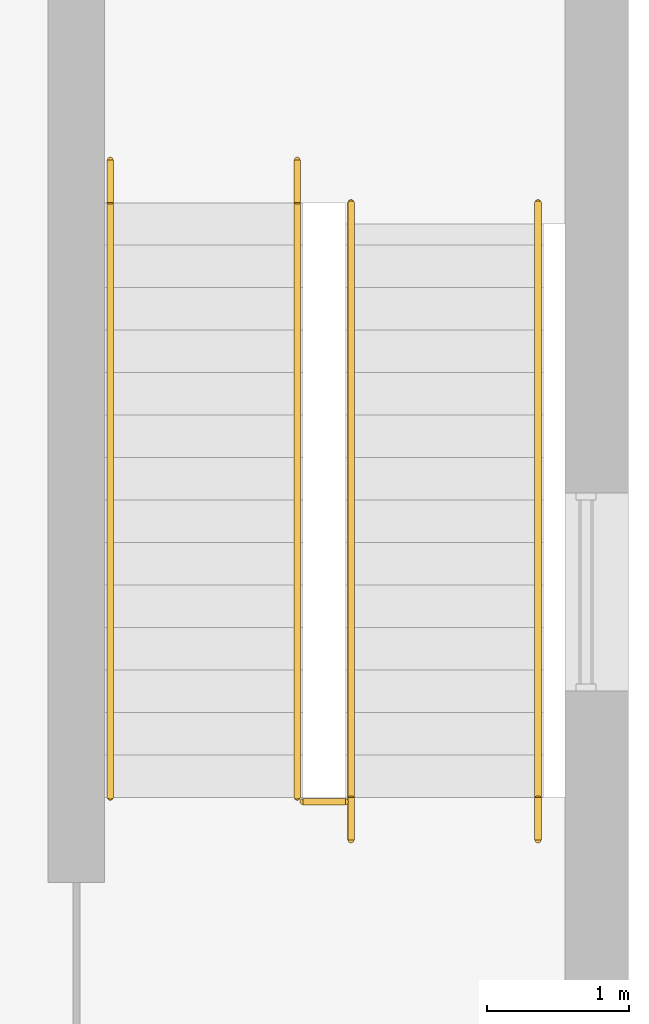
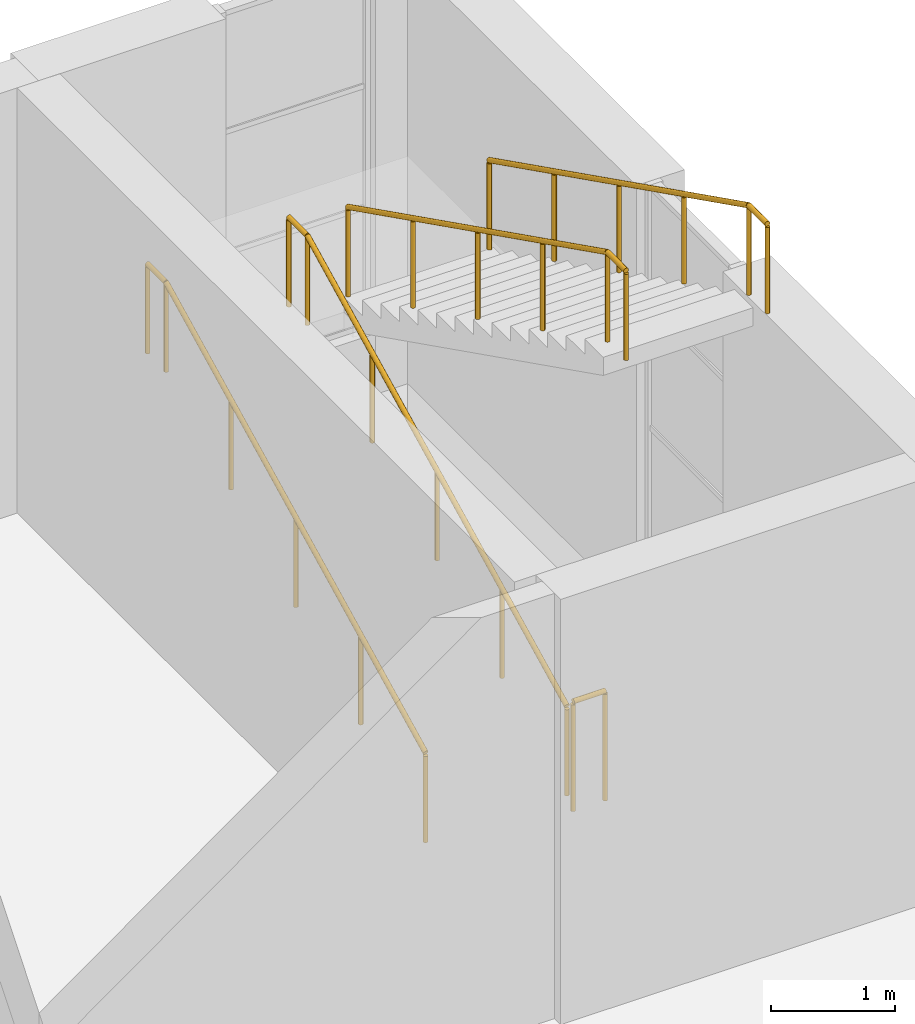
# One storey, part 64 of 66: 5 railings.
"""IFC4 building model written with IfcOpenShell, lengths in metres."""

from ifc_helpers import new_model, si_unit, direction, frame, origin, origin_2d, place, context, subcontext, project, spatial, circle, extrude, material, type_object, element, save


model = new_model("IFC4")

# Units and contexts
model_context = context("Model", 3, precision=1e-05, world=origin(), true_north=direction((0.0, 1.0)))
body_context = subcontext(model_context, "Body", "Model", "MODEL_VIEW")
ifc_project = project(units=[si_unit("LENGTHUNIT", "METRE"), si_unit("AREAUNIT", "SQUARE_METRE"), si_unit("VOLUMEUNIT", "CUBIC_METRE"), si_unit("PLANEANGLEUNIT", "RADIAN"), si_unit("MASSUNIT", "GRAM", prefix="KILO")], contexts=[model_context])

# Site, building, storey
site_placement = place(None, origin())
site = spatial("IfcSite", under=ifc_project, at=site_placement, CompositionType="ELEMENT")
building_placement = place(site_placement, origin())
building = spatial("IfcBuilding", under=site, at=building_placement, Name="Yavir Park General Hospital", CompositionType="ELEMENT")
storey_placement = place(building_placement, frame((0.0, 0.0, 8.39990234375)))
storey = spatial("IfcBuildingStorey", under=building, at=storey_placement, Name="L02", CompositionType="ELEMENT", Elevation=8.39990234375)

# Railings
ifc_material_1 = material(Name="Steel balustrade with infill rods", Category="steel")
railing_type_1 = type_object("IfcRailingType", Name="Stair guard, steel balustrade 1100 mm", PredefinedType="GUARDRAIL", material=ifc_material_1)
railing_placement = place(storey_placement, frame((23.199951171875, 111.570068359375, 0.0)))
element("IfcRailing", 1, at=railing_placement, inside=storey, type_object=railing_type_1, Name="Stair well guard SW3 L02", PredefinedType="GUARDRAIL", context=body_context, shape_type="SweptSolid", body=[
    extrude(circle(Radius=0.02392578125, at=origin_2d()), frame((0.0, 0.0, 1.076171875), z_axis=(1.0, 0.0, 0.0), x_axis=(0.0, 1.0, 0.0)), (0.0, 0.0, 1.0), 0.300048828125),
    extrude(circle(Radius=0.02099609375, at=origin_2d()), origin(), (0.0, 0.0, 1.0), 1.052001953125),
    extrude(circle(Radius=0.02099609375, at=origin_2d()), frame((0.300048828125, 0.0, 0.0)), (0.0, 0.0, 1.0), 1.052001953125),
])
ifc_material_2 = material(Name="Stainless steel tube 48 mm", Category="steel")
railing_type_2 = type_object("IfcRailingType", Name="Stair handrail, steel tube, 900 mm above the nosings", PredefinedType="HANDRAIL", material=ifc_material_2)
for number, where, name in (
    (2, (21.840087890625, 111.60009765625, 0.150146484375), "Handrail SW3 L02 1"),
    (3, (23.159912109375, 111.60009765625, 0.150146484375), "Handrail SW3 L02 2"),
):
    element("IfcRailing", number, at=place(storey_placement, frame(where)), inside=storey, type_object=railing_type_2, Name=name, PredefinedType="HANDRAIL", context=body_context, shape_type="SweptSolid", body=[
        extrude(circle(Radius=0.02392578125, at=origin_2d()), frame((0.0, 0.0, 0.8759765625), z_axis=(0.0, 0.894437589381, 0.447192798132), x_axis=(-1.0, 0.0, 0.0)), (0.0, 0.0, 1.0), 4.695556640625),
        extrude(circle(Radius=0.02392578125, at=origin_2d()), frame((0.0, 4.199951171875, 2.9755859375), z_axis=(0.0, 1.0, 0.0), x_axis=(-1.0, 0.0, 0.0)), (0.0, 0.0, 1.0), 0.300048828125),
        extrude(circle(Radius=0.02099609375, at=origin_2d()), origin(), (0.0, 0.0, 1.0), 0.851806640625),
        extrude(circle(Radius=0.02099609375, at=origin_2d()), frame((0.0, 1.050048828125, 0.52490234375)), (0.0, 0.0, 1.0), 0.851806640625),
        extrude(circle(Radius=0.02099609375, at=origin_2d()), frame((0.0, 2.10009765625, 1.0498046875)), (0.0, 0.0, 1.0), 0.851806640625),
        extrude(circle(Radius=0.02099609375, at=origin_2d()), frame((0.0, 3.14990234375, 1.574951171875)), (0.0, 0.0, 1.0), 0.851806640625),
        extrude(circle(Radius=0.02099609375, at=origin_2d()), frame((0.0, 4.199951171875, 2.099853515625)), (0.0, 0.0, 1.0), 0.851806640625),
        extrude(circle(Radius=0.02099609375, at=origin_2d()), frame((0.0, 4.5, 2.099853515625)), (0.0, 0.0, 1.0), 0.851806640625),
    ])
for number, where, name in (
    (4, (24.860107421875, 115.800048828125, 2.400146484375), "Handrail SW3 L02 3"),
    (5, (23.5400390625, 115.800048828125, 2.400146484375), "Handrail SW3 L02 4"),
):
    element("IfcRailing", number, at=place(storey_placement, frame(where)), inside=storey, type_object=railing_type_2, Name=name, PredefinedType="HANDRAIL", context=body_context, shape_type="SweptSolid", body=[
        extrude(circle(Radius=0.02392578125, at=origin_2d()), frame((0.0, 0.0, 0.8759765625), z_axis=(0.0, -0.894437589381, 0.447192798132), x_axis=(1.0, 0.0, 0.0)), (0.0, 0.0, 1.0), 4.695556640625),
        extrude(circle(Radius=0.02392578125, at=origin_2d()), frame((0.0, -4.199951171875, 2.9755859375), z_axis=(0.0, -1.0, 0.0), x_axis=(1.0, 0.0, 0.0)), (0.0, 0.0, 1.0), 0.300048828125),
        extrude(circle(Radius=0.02099609375, at=origin_2d()), origin(), (0.0, 0.0, 1.0), 0.851806640625),
        extrude(circle(Radius=0.02099609375, at=origin_2d()), frame((0.0, -1.050048828125, 0.52490234375)), (0.0, 0.0, 1.0), 0.851806640625),
        extrude(circle(Radius=0.02099609375, at=origin_2d()), frame((0.0, -2.10009765625, 1.0498046875)), (0.0, 0.0, 1.0), 0.851806640625),
        extrude(circle(Radius=0.02099609375, at=origin_2d()), frame((0.0, -3.14990234375, 1.574951171875)), (0.0, 0.0, 1.0), 0.851806640625),
        extrude(circle(Radius=0.02099609375, at=origin_2d()), frame((0.0, -4.199951171875, 2.099853515625)), (0.0, 0.0, 1.0), 0.851806640625),
        extrude(circle(Radius=0.02099609375, at=origin_2d()), frame((0.0, -4.5, 2.099853515625)), (0.0, 0.0, 1.0), 0.851806640625),
    ])

save(model, "model.ifc")
